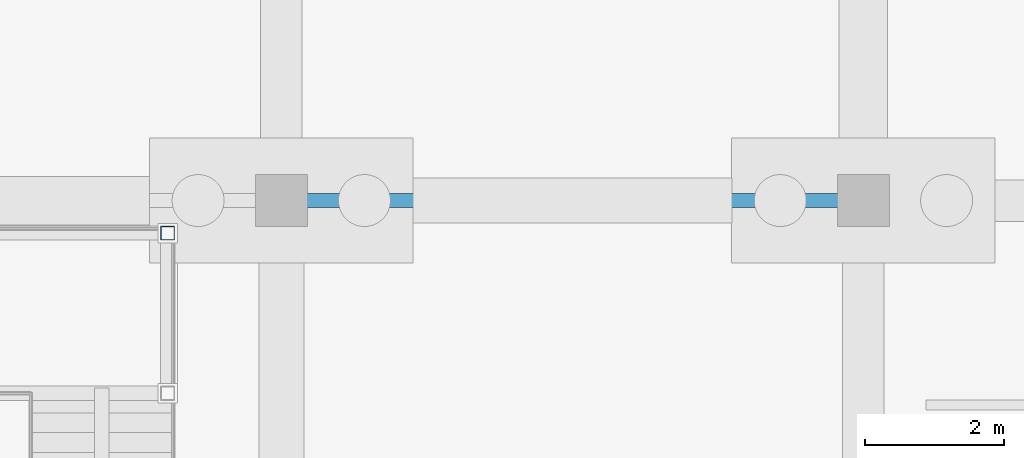
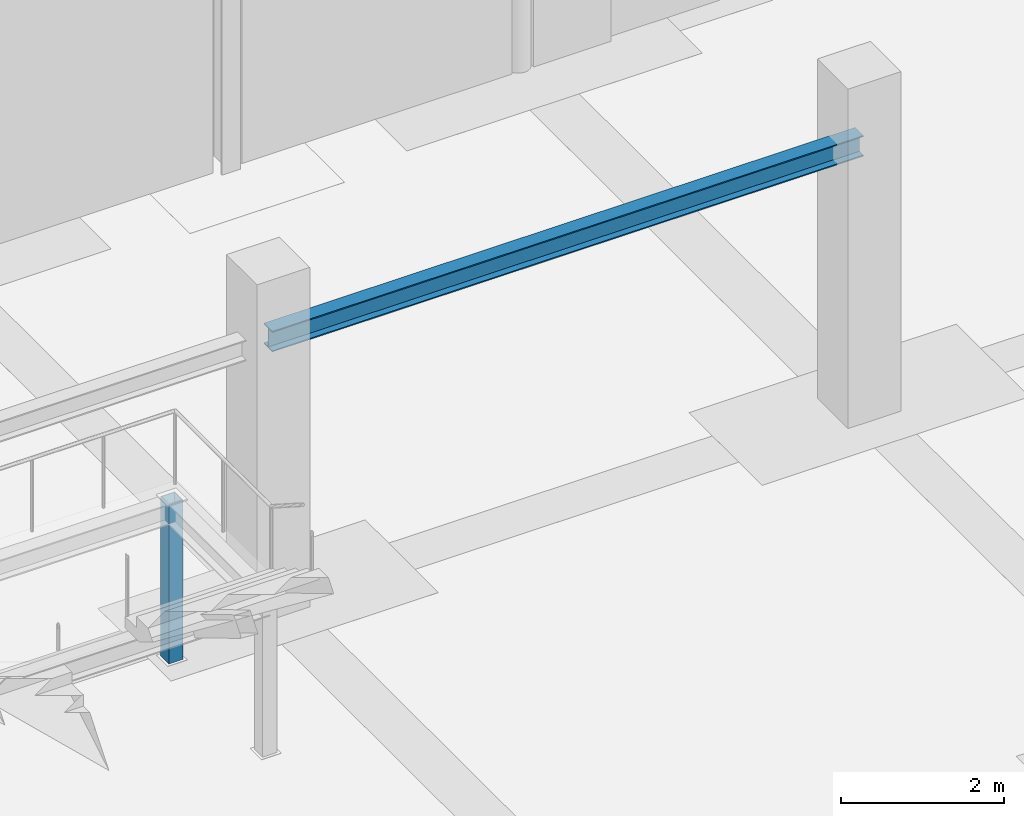
# One storey, part 41 of 119: 1 beam, 1 member.
"""IFC4 building model written with IfcOpenShell, lengths in metres."""

from ifc_helpers import new_model, si_unit, derived_unit, direction, frame, origin, origin_2d, place, context, subcontext, project, spatial, hollow_rectangle, i_section, extrude, material, material_profile, profile_set, type_object, element, save


model = new_model("IFC4")

# Units and contexts
model_context = context("Model", 3, precision=1e-05, world=origin(), true_north=direction((0.0, 1.0)))
body_context = subcontext(model_context, "Body", "Model", "MODEL_VIEW")
ifc_project = project(units=[si_unit("LENGTHUNIT", "METRE"), si_unit("AREAUNIT", "SQUARE_METRE"), si_unit("VOLUMEUNIT", "CUBIC_METRE"), si_unit("PLANEANGLEUNIT", "RADIAN"), si_unit("MASSUNIT", "GRAM", prefix="KILO"), derived_unit("THERMALTRANSMITTANCEUNIT", [(si_unit("MASSUNIT", "GRAM", prefix="KILO"), 1), (si_unit("TIMEUNIT", "SECOND"), -3), (si_unit("THERMODYNAMICTEMPERATUREUNIT", "KELVIN"), -1)])], contexts=[model_context])

# Site, building, storey
site_placement = place(None, origin())
site = spatial("IfcSite", under=ifc_project, at=site_placement, CompositionType="ELEMENT")
building_placement = place(site_placement, origin())
building = spatial("IfcBuilding", under=site, at=building_placement, Name="Makaiwela Harbour Ferry Terminal", CompositionType="ELEMENT")
storey_placement = place(building_placement, origin())
storey = spatial("IfcBuildingStorey", under=building, at=storey_placement, Name="L00", CompositionType="ELEMENT", Elevation=0.0)

# Beam
ifc_material_1 = material(Name="Steel ASTM A992 Grade 50", Category="steel")
ifc_material_profile_1 = material_profile(ifc_material_1, i_section(OverallWidth=0.205078125, OverallDepth=0.31005859375, WebThickness=0.009521484375, FlangeThickness=0.016357421875, at=origin_2d()), Name="W12X50")
ifc_profile_set_1 = profile_set([ifc_material_profile_1], Name="Steel ASTM A992 Grade 50")
beam_type = type_object("IfcBeamType", Name="STR-LNT-W12X50", PredefinedType="LINTEL", material=ifc_profile_set_1)
beam_placement = place(storey_placement, frame((79.800048828125, 16.800048828125, 3.949951171875), z_axis=(1.0, 0.0, 0.0), x_axis=(0.0, 1.0, 0.0)))
element("IfcBeam", 1, at=beam_placement, inside=storey, type_object=beam_type, Name="Interior aisle lintel 6", PredefinedType="LINTEL", context=body_context, shape_type="SweptSolid", body=[
    extrude(i_section(OverallWidth=0.205078125, OverallDepth=0.31005859375, WebThickness=0.009521484375, FlangeThickness=0.016357421875, at=origin_2d()), origin(), (0.0, 0.0, 1.0), 8.39990234375),
])

# Member
ifc_material_2 = material(Name="Steel ASTM A500 Grade C", Category="steel")
ifc_material_profile_2 = material_profile(ifc_material_2, hollow_rectangle(XDim=0.202880859375, YDim=0.202880859375, WallThickness=0.01171875, at=origin_2d()), Name="HSS8X8X1/2")
ifc_profile_set_2 = profile_set([ifc_material_profile_2], Name="Steel ASTM A500 Grade C")
member_type = type_object("IfcMemberType", Name="STR-PST-HSS8", PredefinedType="POST", material=ifc_profile_set_2)
member_placement = place(storey_placement, frame((78.159912109375, 16.330078125, 0.0), z_axis=(0.0, 0.0, 1.0), x_axis=(1.0, 0.0, 0.0)))
element("IfcMember", 2, at=member_placement, inside=storey, type_object=member_type, Name="Stair Landing Post ST-07-L00-P4", PredefinedType="POST", context=body_context, shape_type="SweptSolid", body=[
    extrude(hollow_rectangle(XDim=0.202880859375, YDim=0.202880859375, WallThickness=0.01171875, at=origin_2d()), origin(), (0.0, 0.0, 1.0), 2.39990234375),
])

save(model, "model.ifc")
